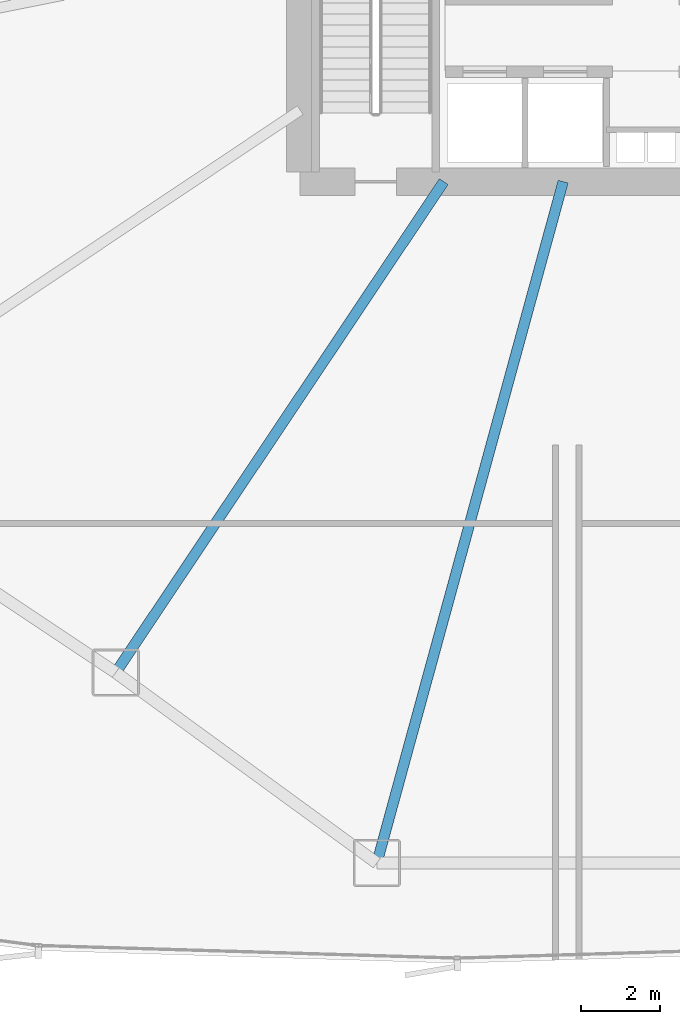
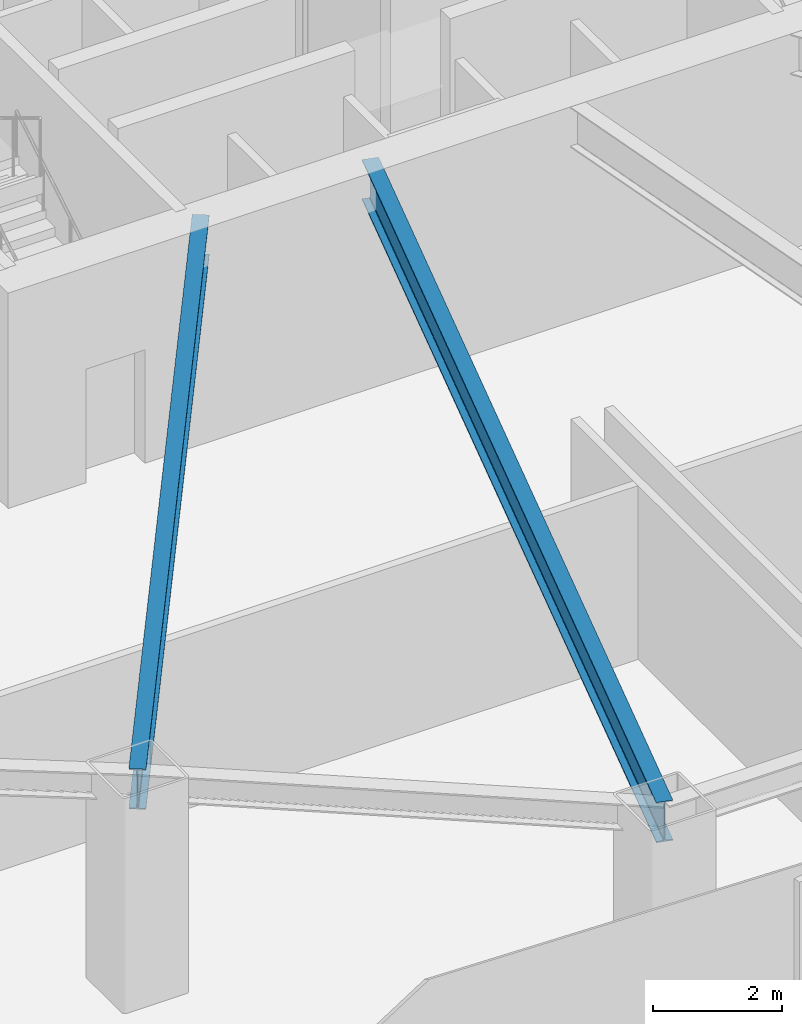
# One storey, part 7 of 34: 2 beams.
"""IFC4 building model written with IfcOpenShell, lengths in metres."""

import ifcopenshell
import ifcopenshell.guid

model = None  # the IFC model being written
_history = None  # IfcOwnerHistory: only IFC2X3 demands one
_inside = {}  # id of a spatial element -> (the spatial element, [elements in it])
_under = {}  # id of a project, library or spatial element -> (it, [spatial elements below it])
_declared = {}  # id of a project -> (the project, [libraries it declares])
_typed = {}  # id of a type object -> (the type object, [elements of that type])
_made_of = {}  # id of a material, layer set ... -> (it, [elements and type objects made of it])


def new_model(schema):
    """Start an empty IFC model of exactly this schema.

    Asked for "IFC4X3", IfcOpenShell would pick the latest addendum, in which some entities
    have other attributes; the version numbers below select the first issue.
    IFC2X3 requires an IfcOwnerHistory on every rooted entity: one is made here for all.
    """
    global model, _history
    if schema == "IFC4X3":
        model = ifcopenshell.file(schema_version=(4, 3, 0, 0))
    else:
        model = ifcopenshell.file(schema=schema)
    _inside.clear()
    _under.clear()
    _declared.clear()
    _typed.clear()
    _made_of.clear()
    _history = None
    if model.schema == "IFC2X3":
        org = make("IfcOrganization", Name="unknown")
        user = make(
            "IfcPersonAndOrganization",
            ThePerson=make("IfcPerson", FamilyName="unknown"),
            TheOrganization=org,
        )
        app = make(
            "IfcApplication",
            ApplicationDeveloper=org,
            Version="unknown",
            ApplicationFullName="unknown",
            ApplicationIdentifier="unknown",
        )
        _history = make(
            "IfcOwnerHistory",
            OwningUser=user,
            OwningApplication=app,
            ChangeAction="ADDED",
            CreationDate=0,
        )
    return model


def make(cls, **values):
    """One entity of the class cls with the attributes given. An attribute that is None is left unset."""
    return model.create_entity(
        cls, **{name: value for name, value in values.items() if value is not None}
    )


def rooted(cls, **values):
    """An entity with a GlobalId (a new one), such as an element, a storey or a relation."""
    return make(cls, GlobalId=ifcopenshell.guid.new(), OwnerHistory=_history, **values)


def si_unit(unit_type, name, prefix=None):
    """IfcSIUnit, for example si_unit("LENGTHUNIT", "METRE", prefix="MILLI")."""
    return make("IfcSIUnit", UnitType=unit_type, Prefix=prefix, Name=name)


def assignment(units):
    """IfcUnitAssignment: the units of a project."""
    return None if units is None else make("IfcUnitAssignment", Units=units)


def point(xyz):
    """IfcCartesianPoint."""
    return None if xyz is None else make("IfcCartesianPoint", Coordinates=xyz)


def direction(xyz):
    """IfcDirection."""
    return None if xyz is None else make("IfcDirection", DirectionRatios=xyz)


def frame(location, z_axis=None, x_axis=None):
    """IfcAxis2Placement3D, a coordinate frame: its origin and axes. An axis left out is left unset."""
    return make(
        "IfcAxis2Placement3D",
        Location=point(location),
        Axis=direction(z_axis),
        RefDirection=direction(x_axis),
    )


def frame_2d(location, x_axis=None):
    """IfcAxis2Placement2D, a coordinate frame in the plane: its origin and x axis."""
    return make(
        "IfcAxis2Placement2D", Location=point(location), RefDirection=direction(x_axis)
    )


def origin():
    """The frame at (0, 0, 0) with its axes left unset."""
    return frame((0.0, 0.0, 0.0))


def origin_2d():
    """The frame at (0, 0) in the plane with its x axis left unset."""
    return frame_2d((0.0, 0.0))


def place(relative_to, where):
    """IfcLocalPlacement: puts the frame where relative to a parent placement (None: the world)."""
    return make(
        "IfcLocalPlacement", PlacementRelTo=relative_to, RelativePlacement=where
    )


def context(
    kind, dimensions, precision=None, world=None, true_north=None, identifier=None
):
    """IfcGeometricRepresentationContext, for example the 3D "Model" context."""
    return make(
        "IfcGeometricRepresentationContext",
        ContextIdentifier=identifier,
        ContextType=kind,
        CoordinateSpaceDimension=dimensions,
        Precision=precision,
        WorldCoordinateSystem=world,
        TrueNorth=true_north,
    )


def subcontext(parent, identifier, kind, view, scale=None):
    """IfcGeometricRepresentationSubContext, for example "Body" below "Model"."""
    return make(
        "IfcGeometricRepresentationSubContext",
        ContextIdentifier=identifier,
        ContextType=kind,
        ParentContext=parent,
        TargetScale=scale,
        TargetView=view,
    )


def project(units=None, contexts=None):
    """IfcProject with its units and contexts."""
    return rooted(
        "IfcProject",
        Name="project",
        RepresentationContexts=contexts,
        UnitsInContext=assignment(units),
    )


def spatial(cls, under=None, at=None, **own):
    """A site, building, storey or space (cls), placed at a placement, below another one or the project."""
    s = rooted(cls, ObjectPlacement=at, **own)
    if under is not None:
        _under.setdefault(under.id(), (under, []))[1].append(s)
    return s


def profile(cls, at=None, kind="AREA", **sizes):
    """A parametric profile (cls). Its sizes go by their IFC names, for example OverallWidth=200.0."""
    return make(cls, ProfileType=kind, Position=at, **sizes)


def i_section(**sizes):
    """IfcIShapeProfileDef."""
    return profile("IfcIShapeProfileDef", **sizes)


def extrude(swept, where, along, depth):
    """IfcExtrudedAreaSolid: the profile swept, set in the frame where, extruded along a direction by depth."""
    return make(
        "IfcExtrudedAreaSolid",
        SweptArea=swept,
        Position=where,
        ExtrudedDirection=direction(along),
        Depth=depth,
    )


def shape(context_of_items, identifier, shape_type, items):
    """IfcShapeRepresentation: the items that make up one representation, for example the "Body"."""
    return make(
        "IfcShapeRepresentation",
        ContextOfItems=context_of_items,
        RepresentationIdentifier=identifier,
        RepresentationType=shape_type,
        Items=items,
    )


def source(mapping_origin, context_of_items, identifier, shape_type, items):
    """IfcRepresentationMap: a shape defined once, which mapped items show again and again."""
    return make(
        "IfcRepresentationMap",
        MappingOrigin=mapping_origin,
        MappedRepresentation=shape(context_of_items, identifier, shape_type, items),
    )


def transform(
    local_origin,
    x_axis=None,
    y_axis=None,
    z_axis=None,
    scale=None,
    scale2=None,
    scale3=None,
    uniform=True,
):
    """IfcCartesianTransformationOperator3D, or its non-uniform kind. x_axis, y_axis, z_axis: its Axis1, 2, 3."""
    if uniform:
        return make(
            "IfcCartesianTransformationOperator3D",
            Axis1=direction(x_axis),
            Axis2=direction(y_axis),
            LocalOrigin=point(local_origin),
            Scale=scale,
            Axis3=direction(z_axis),
        )
    return make(
        "IfcCartesianTransformationOperator3DnonUniform",
        Axis1=direction(x_axis),
        Axis2=direction(y_axis),
        LocalOrigin=point(local_origin),
        Scale=scale,
        Axis3=direction(z_axis),
        Scale2=scale2,
        Scale3=scale3,
    )


def mapped(mapping_source, mapping_target):
    """IfcMappedItem: shows the shape of a source again, moved by a transform."""
    return make(
        "IfcMappedItem", MappingSource=mapping_source, MappingTarget=mapping_target
    )


def material(Name=None, Category=None):
    """IfcMaterial."""
    return make("IfcMaterial", Name=Name, Category=Category)


def material_profile(
    of_material, cross_section, Name=None, Category=None, Priority=None
):
    """IfcMaterialProfile: a cross section and its material."""
    return make(
        "IfcMaterialProfile",
        Name=Name,
        Material=of_material,
        Profile=cross_section,
        Priority=Priority,
        Category=Category,
    )


def profile_set(profiles, Name=None, composite=None):
    """IfcMaterialProfileSet."""
    return make(
        "IfcMaterialProfileSet",
        Name=Name,
        MaterialProfiles=profiles,
        CompositeProfile=composite,
    )


def made_of(thing, what):
    """Note that an element or type object is made of a material, layer set ...; save() writes the relation."""
    if what is not None:
        _made_of.setdefault(what.id(), (what, []))[1].append(thing)
    return thing


def type_object(cls, material=None, **own):
    """A type object (cls), such as IfcWallType, which elements share."""
    return made_of(rooted(cls, **own), material)


def element(
    cls,
    number,
    at=None,
    inside=None,
    cuts=None,
    type_object=None,
    material=None,
    context=None,
    identifier="Body",
    shape_type=None,
    held_by="IfcProductDefinitionShape",
    body=None,
    shapes=None,
    **own,
):
    """One element of the class cls, such as IfcWall. Its Tag is "e" and its number.

    at: its placement. inside: the storey or other place that contains it. cuts: it is an
    opening in that element (IfcRelVoidsElement). A single representation is given by context,
    identifier, shape_type and body (its items); several are given by shapes. held_by: the class
    of the entity that holds the representations. save() writes the other relations.
    """
    e = rooted(cls, Tag="e%d" % number, ObjectPlacement=at, **own)
    if body is not None:
        shapes = [shape(context, identifier, shape_type, body)]
    if shapes is not None:
        e.Representation = make(held_by, Representations=shapes)
    if inside is not None:
        _inside.setdefault(inside.id(), (inside, []))[1].append(e)
    if cuts is not None:
        rooted(
            "IfcRelVoidsElement", RelatingBuildingElement=cuts, RelatedOpeningElement=e
        )
    if type_object is not None:
        _typed.setdefault(type_object.id(), (type_object, []))[1].append(e)
    return made_of(e, material)


def aggregate(whole, parts):
    """IfcRelAggregates: a whole, such as a stair, and the parts it consists of."""
    return rooted("IfcRelAggregates", RelatingObject=whole, RelatedObjects=parts)


def save(model, path):
    """Write the relations noted so far, then the file.

    IfcRelAggregates (storeys below a building ...), IfcRelContainedInSpatialStructure (elements
    in a storey), IfcRelDefinesByType, IfcRelAssociatesMaterial and IfcRelDeclares: one each for
    every whole, place, type object, material and project.
    """
    for whole, parts in _under.values():
        aggregate(whole, parts)
    for where, things in _inside.values():
        rooted(
            "IfcRelContainedInSpatialStructure",
            RelatedElements=things,
            RelatingStructure=where,
        )
    for kind, things in _typed.values():
        rooted("IfcRelDefinesByType", RelatedObjects=things, RelatingType=kind)
    for what, things in _made_of.values():
        rooted("IfcRelAssociatesMaterial", RelatedObjects=things, RelatingMaterial=what)
    for by, libraries in _declared.values():
        rooted("IfcRelDeclares", RelatingContext=by, RelatedDefinitions=libraries)
    model.write(path)


model = new_model("IFC4")

# Units and contexts
model_context = context("Model", 3, precision=1e-05, world=origin(), true_north=direction((0.0, 1.0)))
body_context = subcontext(model_context, "Body", "Model", "MODEL_VIEW")
ifc_project = project(units=[si_unit("LENGTHUNIT", "METRE"), si_unit("AREAUNIT", "SQUARE_METRE"), si_unit("VOLUMEUNIT", "CUBIC_METRE"), si_unit("PLANEANGLEUNIT", "RADIAN"), si_unit("MASSUNIT", "GRAM", prefix="KILO"), si_unit("THERMODYNAMICTEMPERATUREUNIT", "KELVIN")], contexts=[model_context])

# Site, building, storey
site_placement = place(None, origin())
site = spatial("IfcSite", under=ifc_project, at=site_placement, CompositionType="ELEMENT")
building_placement = place(site_placement, origin())
building = spatial("IfcBuilding", under=site, at=building_placement, Name="Kethvar Cultural Tower", CompositionType="ELEMENT")
storey_placement = place(building_placement, frame((0.0, 0.0, 19.60009765625)))
storey = spatial("IfcBuildingStorey", under=building, at=storey_placement, Name="L04", CompositionType="ELEMENT", Elevation=19.60009765625)

# Beams
ifc_material = material(Name="Steel S355J2", Category="steel")
ifc_material_profile = material_profile(ifc_material, i_section(OverallWidth=0.26708984375, OverallDepth=0.761962890625, WebThickness=0.014404296875, FlangeThickness=0.021484375, FilletRadius=0.01708984375, at=origin_2d()), Name="Steel S355J2 — IPE750x173")
ifc_profile_set = profile_set([ifc_material_profile], Name="Steel S355J2 — IPE750x173")
beam_type = type_object("IfcBeamType", Name="BM-IPE750", PredefinedType="BEAM", material=ifc_profile_set)
shared_shape_1 = source(origin(), body_context, "Body", "SweptSolid", [
    extrude(i_section(OverallWidth=0.26708984375, OverallDepth=0.761962890625, WebThickness=0.014404296875, FlangeThickness=0.021484375, FilletRadius=0.01708984375, at=origin_2d()), origin(), (0.0, 0.0, 1.0), 17.987060546875),
])
beam_1_placement = place(storey_placement, frame((44.6943359375, 20.10009765625, 3.697021484375), z_axis=(-0.26376624534, -0.964586630541, 0.0), x_axis=(0.964586630541, -0.26376624534, 0.0)))
element("IfcBeam", 1, at=beam_1_placement, inside=storey, type_object=beam_type, Name="L04 Podium Radial Girder 12", PredefinedType="BEAM", context=body_context, shape_type="MappedRepresentation", body=[
    mapped(shared_shape_1, transform((0.0, 0.0, 0.0), scale=1.0)),
])
shared_shape_2 = source(origin(), body_context, "Body", "SweptSolid", [
    extrude(i_section(OverallWidth=0.26708984375, OverallDepth=0.761962890625, WebThickness=0.014404296875, FlangeThickness=0.021484375, FilletRadius=0.01708984375, at=origin_2d()), origin(), (0.0, 0.0, 1.0), 15.03515625),
])
beam_2_placement = place(storey_placement, frame((41.655029296875, 20.10009765625, 3.697021484375), z_axis=(-0.555569254616, -0.83147026605, 0.0), x_axis=(0.83147026605, -0.555569254616, 0.0)))
element("IfcBeam", 2, at=beam_2_placement, inside=storey, type_object=beam_type, Name="L04 Podium Radial Girder 11", PredefinedType="BEAM", context=body_context, shape_type="MappedRepresentation", body=[
    mapped(shared_shape_2, transform((0.0, 0.0, 0.0), scale=1.0)),
])

save(model, "model.ifc")
